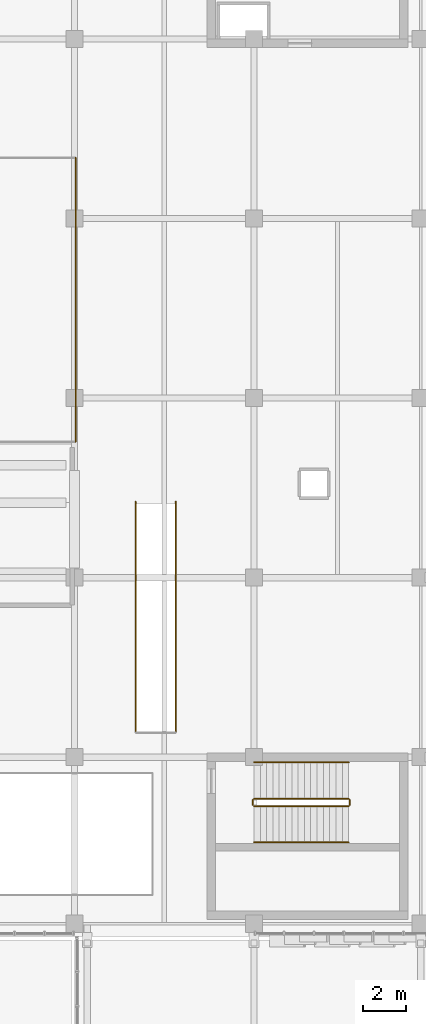
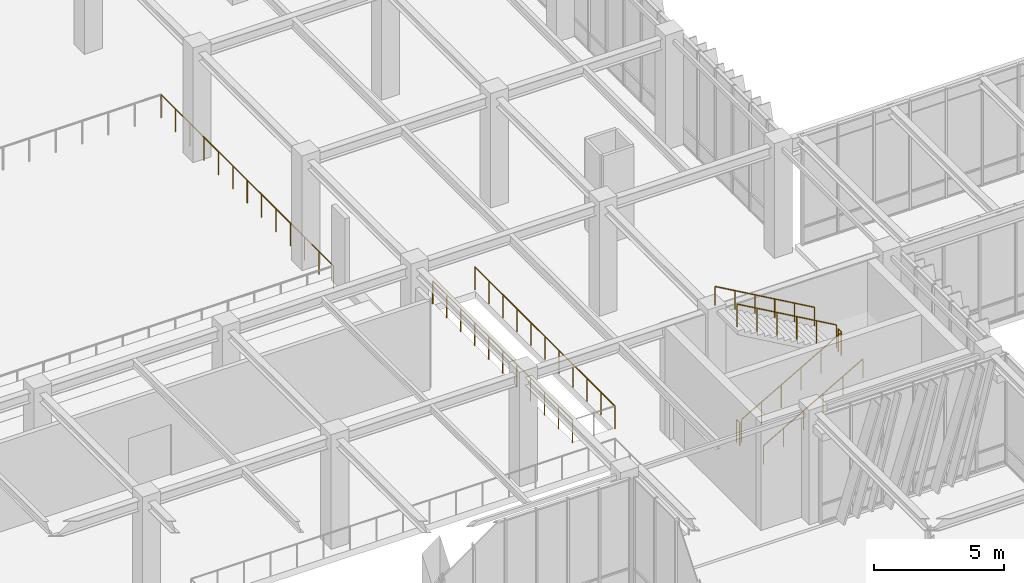
# One storey, part 132 of 139: 9 railings.
"""IFC4 building model written with IfcOpenShell, lengths in metres."""

from ifc_helpers import new_model, si_unit, direction, frame, origin, origin_2d, place, context, subcontext, project, spatial, circle, extrude, material, type_object, element, save


model = new_model("IFC4")

# Units and contexts
model_context = context("Model", 3, precision=1e-05, world=origin(), true_north=direction((0.0, 1.0)))
body_context = subcontext(model_context, "Body", "Model", "MODEL_VIEW")
ifc_project = project(units=[si_unit("LENGTHUNIT", "METRE"), si_unit("AREAUNIT", "SQUARE_METRE"), si_unit("VOLUMEUNIT", "CUBIC_METRE"), si_unit("PLANEANGLEUNIT", "RADIAN"), si_unit("MASSUNIT", "GRAM", prefix="KILO")], contexts=[model_context])

# Site, building, storey
site_placement = place(None, origin())
site = spatial("IfcSite", under=ifc_project, at=site_placement, CompositionType="ELEMENT")
building_placement = place(site_placement, origin())
building = spatial("IfcBuilding", under=site, at=building_placement, Name="Zayran Congress Hotel", CompositionType="ELEMENT")
storey_placement = place(building_placement, frame((0.0, 0.0, 5.39990234375)))
storey = spatial("IfcBuildingStorey", under=building, at=storey_placement, Name="L01", CompositionType="ELEMENT", Elevation=5.39990234375)

# Railings
ifc_material_1 = material(Name="Painted steel balustrade", Category="steel")
railing_type_1 = type_object("IfcRailingType", Name="TP-GRD-INT", PredefinedType="GUARDRAIL", material=ifc_material_1)
railing_1_placement = place(storey_placement, frame((84.0, 73.7099609375, 0.1689453125)))
element("IfcRailing", 1, at=railing_1_placement, inside=storey, type_object=railing_type_1, Name="L01 ST-06 stair guard 1", PredefinedType="GUARDRAIL", context=body_context, shape_type="SweptSolid", body=[
    extrude(circle(Radius=0.02392578125, at=origin_2d()), frame((0.0, 0.0, 1.076171875), z_axis=(0.868019072493, 0.0, 0.49653085482), x_axis=(0.0, 1.0, 0.0)), (0.0, 0.0, 1.0), 5.097900390625),
    extrude(circle(Radius=0.02099609375, at=origin_2d()), origin(), (0.0, 0.0, 1.0), 1.052001953125),
    extrude(circle(Radius=0.02099609375, at=origin_2d()), frame((0.885009765625, 0.0, 0.50634765625)), (0.0, 0.0, 1.0), 1.052001953125),
    extrude(circle(Radius=0.02099609375, at=origin_2d()), frame((1.77001953125, 0.0, 1.012451171875)), (0.0, 0.0, 1.0), 1.052001953125),
    extrude(circle(Radius=0.02099609375, at=origin_2d()), frame((2.655029296875, 0.0, 1.518798828125)), (0.0, 0.0, 1.0), 1.052001953125),
    extrude(circle(Radius=0.02099609375, at=origin_2d()), frame((3.5400390625, 0.0, 2.02490234375)), (0.0, 0.0, 1.0), 1.052001953125),
    extrude(circle(Radius=0.02099609375, at=origin_2d()), frame((4.425048828125, 0.0, 2.53125)), (0.0, 0.0, 1.0), 1.052001953125),
])
railing_2_placement = place(storey_placement, frame((88.47509765625, 73.760009765625, 2.7001953125)))
element("IfcRailing", 2, at=railing_2_placement, inside=storey, type_object=railing_type_1, Name="L01 ST-06 stair guard 2", PredefinedType="GUARDRAIL", context=body_context, shape_type="SweptSolid", body=[
    extrude(circle(Radius=0.02392578125, at=origin_2d()), frame((0.0, 0.0, 1.076171875), z_axis=(0.0, 1.0, 0.0), x_axis=(-1.0, 0.0, 0.0)), (0.0, 0.0, 1.0), 0.239990234375),
    extrude(circle(Radius=0.02099609375, at=origin_2d()), origin(), (0.0, 0.0, 1.0), 1.052001953125),
    extrude(circle(Radius=0.02099609375, at=origin_2d()), frame((0.0, 0.239990234375, 0.0)), (0.0, 0.0, 1.0), 1.052001953125),
])
railing_3_placement = place(storey_placement, frame((88.425048828125, 74.050048828125, 2.868896484375)))
element("IfcRailing", 3, at=railing_3_placement, inside=storey, type_object=railing_type_1, Name="L01 ST-06 stair guard 3", PredefinedType="GUARDRAIL", context=body_context, shape_type="SweptSolid", body=[
    extrude(circle(Radius=0.02392578125, at=origin_2d()), frame((0.0, 0.0, 1.076171875), z_axis=(-0.868019072493, 0.0, 0.49653085482), x_axis=(0.0, -1.0, 0.0)), (0.0, 0.0, 1.0), 5.097900390625),
    extrude(circle(Radius=0.02099609375, at=origin_2d()), origin(), (0.0, 0.0, 1.0), 1.052001953125),
    extrude(circle(Radius=0.02099609375, at=origin_2d()), frame((-0.885009765625, 0.0, 0.50634765625)), (0.0, 0.0, 1.0), 1.052001953125),
    extrude(circle(Radius=0.02099609375, at=origin_2d()), frame((-1.77001953125, 0.0, 1.012451171875)), (0.0, 0.0, 1.0), 1.052001953125),
    extrude(circle(Radius=0.02099609375, at=origin_2d()), frame((-2.655029296875, 0.0, 1.518798828125)), (0.0, 0.0, 1.0), 1.052001953125),
    extrude(circle(Radius=0.02099609375, at=origin_2d()), frame((-3.5400390625, 0.0, 2.02490234375)), (0.0, 0.0, 1.0), 1.052001953125),
    extrude(circle(Radius=0.02099609375, at=origin_2d()), frame((-4.425048828125, 0.0, 2.53125)), (0.0, 0.0, 1.0), 1.052001953125),
])
railing_4_placement = place(storey_placement, frame((83.949951171875, 73.760009765625, 0.0)))
element("IfcRailing", 4, at=railing_4_placement, inside=storey, type_object=railing_type_1, Name="L01 ST-06 stair guard 4", PredefinedType="GUARDRAIL", context=body_context, shape_type="SweptSolid", body=[
    extrude(circle(Radius=0.02392578125, at=origin_2d()), frame((0.0, 0.0, 1.076171875), z_axis=(0.0, 1.0, 0.0), x_axis=(-1.0, 0.0, 0.0)), (0.0, 0.0, 1.0), 0.239990234375),
    extrude(circle(Radius=0.02099609375, at=origin_2d()), origin(), (0.0, 0.0, 1.0), 1.052001953125),
    extrude(circle(Radius=0.02099609375, at=origin_2d()), frame((0.0, 0.239990234375, 0.0)), (0.0, 0.0, 1.0), 1.052001953125),
])
railing_5_placement = place(storey_placement, frame((78.4599609375, 87.949951171875, 0.0)))
element("IfcRailing", 5, at=railing_5_placement, inside=storey, type_object=railing_type_1, Name="GRD-VOMWELL-02-WL", PredefinedType="GUARDRAIL", context=body_context, shape_type="SweptSolid", body=[
    extrude(circle(Radius=0.02392578125, at=origin_2d()), frame((0.0, 0.0, 1.076171875), z_axis=(0.0, -1.0, 0.0), x_axis=(1.0, 0.0, 0.0)), (0.0, 0.0, 1.0), 10.800048828125),
    extrude(circle(Radius=0.02099609375, at=origin_2d()), origin(), (0.0, 0.0, 1.0), 1.052001953125),
    extrude(circle(Radius=0.02099609375, at=origin_2d()), frame((0.0, -1.080078125, 0.0)), (0.0, 0.0, 1.0), 1.052001953125),
    extrude(circle(Radius=0.02099609375, at=origin_2d()), frame((0.0, -2.159912109375, 0.0)), (0.0, 0.0, 1.0), 1.052001953125),
    extrude(circle(Radius=0.02099609375, at=origin_2d()), frame((0.0, -3.239990234375, 0.0)), (0.0, 0.0, 1.0), 1.052001953125),
    extrude(circle(Radius=0.02099609375, at=origin_2d()), frame((0.0, -4.320068359375, 0.0)), (0.0, 0.0, 1.0), 1.052001953125),
    extrude(circle(Radius=0.02099609375, at=origin_2d()), frame((0.0, -5.39990234375, 0.0)), (0.0, 0.0, 1.0), 1.052001953125),
    extrude(circle(Radius=0.02099609375, at=origin_2d()), frame((0.0, -6.47998046875, 0.0)), (0.0, 0.0, 1.0), 1.052001953125),
    extrude(circle(Radius=0.02099609375, at=origin_2d()), frame((0.0, -7.56005859375, 0.0)), (0.0, 0.0, 1.0), 1.052001953125),
    extrude(circle(Radius=0.02099609375, at=origin_2d()), frame((0.0, -8.64013671875, 0.0)), (0.0, 0.0, 1.0), 1.052001953125),
    extrude(circle(Radius=0.02099609375, at=origin_2d()), frame((0.0, -9.719970703125, 0.0)), (0.0, 0.0, 1.0), 1.052001953125),
    extrude(circle(Radius=0.02099609375, at=origin_2d()), frame((0.0, -10.800048828125, 0.0)), (0.0, 0.0, 1.0), 1.052001953125),
])
railing_6_placement = place(storey_placement, frame((80.340087890625, 77.14990234375, 0.0)))
element("IfcRailing", 6, at=railing_6_placement, inside=storey, type_object=railing_type_1, Name="GRD-VOMWELL-02-WR", PredefinedType="GUARDRAIL", context=body_context, shape_type="SweptSolid", body=[
    extrude(circle(Radius=0.02392578125, at=origin_2d()), frame((0.0, 0.0, 1.076171875), z_axis=(0.0, 1.0, 0.0), x_axis=(-1.0, 0.0, 0.0)), (0.0, 0.0, 1.0), 10.800048828125),
    extrude(circle(Radius=0.02099609375, at=origin_2d()), origin(), (0.0, 0.0, 1.0), 1.052001953125),
    extrude(circle(Radius=0.02099609375, at=origin_2d()), frame((0.0, 1.080078125, 0.0)), (0.0, 0.0, 1.0), 1.052001953125),
    extrude(circle(Radius=0.02099609375, at=origin_2d()), frame((0.0, 2.159912109375, 0.0)), (0.0, 0.0, 1.0), 1.052001953125),
    extrude(circle(Radius=0.02099609375, at=origin_2d()), frame((0.0, 3.239990234375, 0.0)), (0.0, 0.0, 1.0), 1.052001953125),
    extrude(circle(Radius=0.02099609375, at=origin_2d()), frame((0.0, 4.320068359375, 0.0)), (0.0, 0.0, 1.0), 1.052001953125),
    extrude(circle(Radius=0.02099609375, at=origin_2d()), frame((0.0, 5.39990234375, 0.0)), (0.0, 0.0, 1.0), 1.052001953125),
    extrude(circle(Radius=0.02099609375, at=origin_2d()), frame((0.0, 6.47998046875, 0.0)), (0.0, 0.0, 1.0), 1.052001953125),
    extrude(circle(Radius=0.02099609375, at=origin_2d()), frame((0.0, 7.56005859375, 0.0)), (0.0, 0.0, 1.0), 1.052001953125),
    extrude(circle(Radius=0.02099609375, at=origin_2d()), frame((0.0, 8.64013671875, 0.0)), (0.0, 0.0, 1.0), 1.052001953125),
    extrude(circle(Radius=0.02099609375, at=origin_2d()), frame((0.0, 9.719970703125, 0.0)), (0.0, 0.0, 1.0), 1.052001953125),
    extrude(circle(Radius=0.02099609375, at=origin_2d()), frame((0.0, 10.800048828125, 0.0)), (0.0, 0.0, 1.0), 1.052001953125),
])
railing_7_placement = place(storey_placement, frame((75.64990234375, 90.75, 0.0)))
element("IfcRailing", 7, at=railing_7_placement, inside=storey, type_object=railing_type_1, Name="V1 L01 Interior Void Guardrail V1-L01-AUD-E", PredefinedType="GUARDRAIL", context=body_context, shape_type="SweptSolid", body=[
    extrude(circle(Radius=0.02392578125, at=origin_2d()), frame((0.0, 0.0, 1.076171875), z_axis=(0.0, 1.0, 0.0), x_axis=(-1.0, 0.0, 0.0)), (0.0, 0.0, 1.0), 13.300048828125),
    extrude(circle(Radius=0.02099609375, at=origin_2d()), origin(), (0.0, 0.0, 1.0), 1.052001953125),
    extrude(circle(Radius=0.02099609375, at=origin_2d()), frame((0.0, 1.1083984375, 0.0)), (0.0, 0.0, 1.0), 1.052001953125),
    extrude(circle(Radius=0.02099609375, at=origin_2d()), frame((0.0, 2.216796875, 0.0)), (0.0, 0.0, 1.0), 1.052001953125),
    extrude(circle(Radius=0.02099609375, at=origin_2d()), frame((0.0, 3.324951171875, 0.0)), (0.0, 0.0, 1.0), 1.052001953125),
    extrude(circle(Radius=0.02099609375, at=origin_2d()), frame((0.0, 4.433349609375, 0.0)), (0.0, 0.0, 1.0), 1.052001953125),
    extrude(circle(Radius=0.02099609375, at=origin_2d()), frame((0.0, 5.541748046875, 0.0)), (0.0, 0.0, 1.0), 1.052001953125),
    extrude(circle(Radius=0.02099609375, at=origin_2d()), frame((0.0, 6.64990234375, 0.0)), (0.0, 0.0, 1.0), 1.052001953125),
    extrude(circle(Radius=0.02099609375, at=origin_2d()), frame((0.0, 7.75830078125, 0.0)), (0.0, 0.0, 1.0), 1.052001953125),
    extrude(circle(Radius=0.02099609375, at=origin_2d()), frame((0.0, 8.86669921875, 0.0)), (0.0, 0.0, 1.0), 1.052001953125),
    extrude(circle(Radius=0.02099609375, at=origin_2d()), frame((0.0, 9.97509765625, 0.0)), (0.0, 0.0, 1.0), 1.052001953125),
    extrude(circle(Radius=0.02099609375, at=origin_2d()), frame((0.0, 11.08349609375, 0.0)), (0.0, 0.0, 1.0), 1.052001953125),
    extrude(circle(Radius=0.02099609375, at=origin_2d()), frame((0.0, 12.191650390625, 0.0)), (0.0, 0.0, 1.0), 1.052001953125),
    extrude(circle(Radius=0.02099609375, at=origin_2d()), frame((0.0, 13.300048828125, 0.0)), (0.0, 0.0, 1.0), 1.052001953125),
])
ifc_material_2 = material(Name="Brushed stainless steel handrail", Category="steel")
railing_type_2 = type_object("IfcRailingType", Name="TP-HND-STR", PredefinedType="HANDRAIL", material=ifc_material_2)
railing_8_placement = place(storey_placement, frame((84.0, 72.010009765625, 0.1689453125)))
element("IfcRailing", 8, at=railing_8_placement, inside=storey, type_object=railing_type_2, Name="L01 ST-06 stair handrail 1", PredefinedType="HANDRAIL", context=body_context, shape_type="SweptSolid", body=[
    extrude(circle(Radius=0.02392578125, at=origin_2d()), frame((0.0, 0.0, 0.8759765625), z_axis=(0.868019072493, 0.0, 0.49653085482), x_axis=(0.0, 1.0, 0.0)), (0.0, 0.0, 1.0), 5.097900390625),
    extrude(circle(Radius=0.02099609375, at=origin_2d()), origin(), (0.0, 0.0, 1.0), 0.851806640625),
    extrude(circle(Radius=0.02099609375, at=origin_2d()), frame((0.885009765625, 0.0, 0.50634765625)), (0.0, 0.0, 1.0), 0.851806640625),
    extrude(circle(Radius=0.02099609375, at=origin_2d()), frame((1.77001953125, 0.0, 1.012451171875)), (0.0, 0.0, 1.0), 0.851806640625),
    extrude(circle(Radius=0.02099609375, at=origin_2d()), frame((2.655029296875, 0.0, 1.518798828125)), (0.0, 0.0, 1.0), 0.851806640625),
    extrude(circle(Radius=0.02099609375, at=origin_2d()), frame((3.5400390625, 0.0, 2.02490234375)), (0.0, 0.0, 1.0), 0.851806640625),
    extrude(circle(Radius=0.02099609375, at=origin_2d()), frame((4.425048828125, 0.0, 2.53125)), (0.0, 0.0, 1.0), 0.851806640625),
])
railing_9_placement = place(storey_placement, frame((88.425048828125, 75.75, 2.868896484375)))
element("IfcRailing", 9, at=railing_9_placement, inside=storey, type_object=railing_type_2, Name="L01 ST-06 stair handrail 2", PredefinedType="HANDRAIL", context=body_context, shape_type="SweptSolid", body=[
    extrude(circle(Radius=0.02392578125, at=origin_2d()), frame((0.0, 0.0, 0.8759765625), z_axis=(-0.868019072493, 0.0, 0.49653085482), x_axis=(0.0, -1.0, 0.0)), (0.0, 0.0, 1.0), 5.097900390625),
    extrude(circle(Radius=0.02099609375, at=origin_2d()), origin(), (0.0, 0.0, 1.0), 0.851806640625),
    extrude(circle(Radius=0.02099609375, at=origin_2d()), frame((-0.885009765625, 0.0, 0.50634765625)), (0.0, 0.0, 1.0), 0.851806640625),
    extrude(circle(Radius=0.02099609375, at=origin_2d()), frame((-1.77001953125, 0.0, 1.012451171875)), (0.0, 0.0, 1.0), 0.851806640625),
    extrude(circle(Radius=0.02099609375, at=origin_2d()), frame((-2.655029296875, 0.0, 1.518798828125)), (0.0, 0.0, 1.0), 0.851806640625),
    extrude(circle(Radius=0.02099609375, at=origin_2d()), frame((-3.5400390625, 0.0, 2.02490234375)), (0.0, 0.0, 1.0), 0.851806640625),
    extrude(circle(Radius=0.02099609375, at=origin_2d()), frame((-4.425048828125, 0.0, 2.53125)), (0.0, 0.0, 1.0), 0.851806640625),
])

save(model, "model.ifc")
